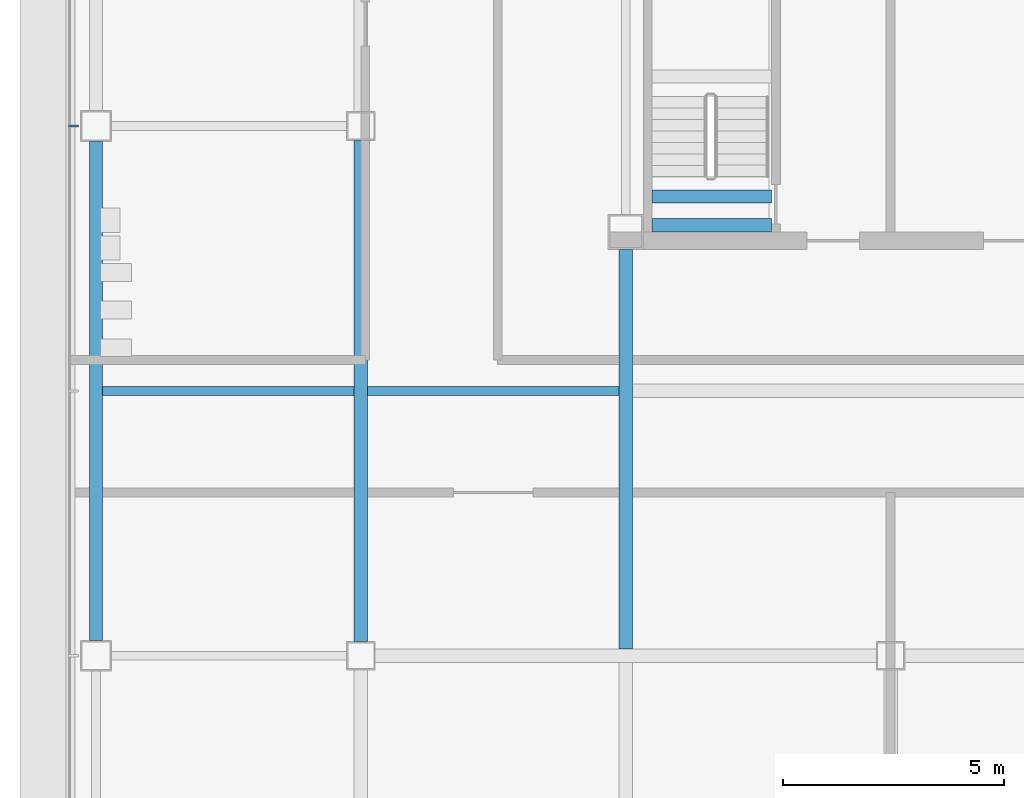
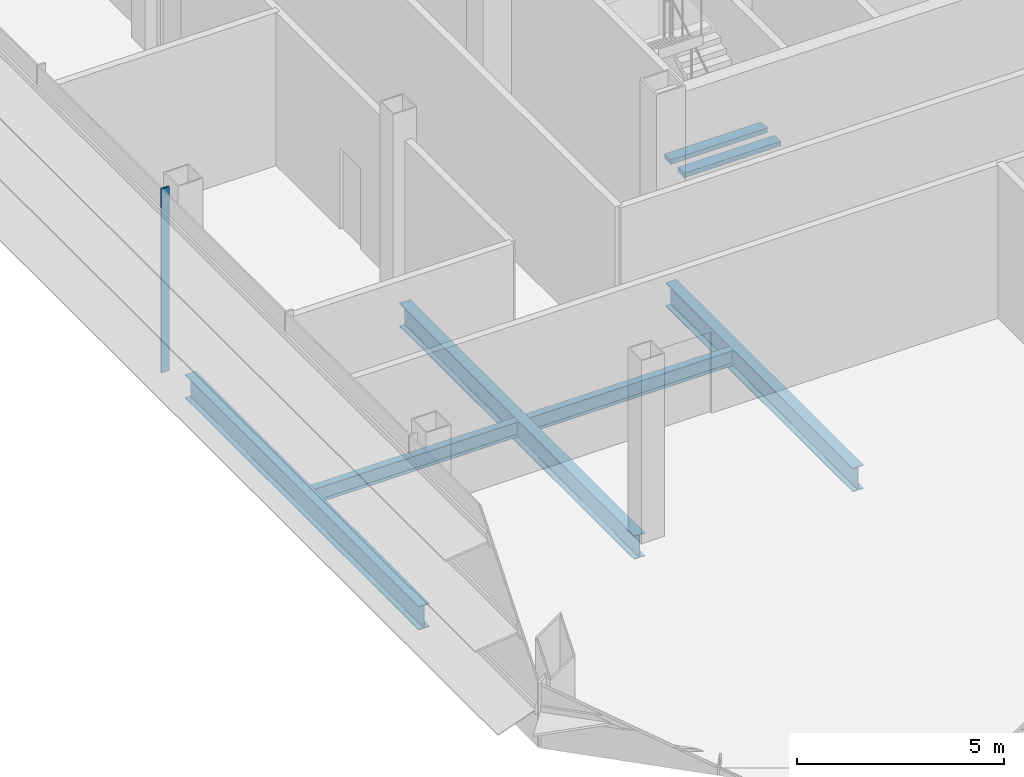
# One storey, part 3 of 24: 7 beams, 1 member, 1 element without a shape of its own.
"""IFC4 building model written with IfcOpenShell, lengths in metres."""

from ifc_helpers import new_model, si_unit, direction, frame, origin, origin_2d, place, context, subcontext, project, spatial, rectangle, i_section, extrude, material, material_profile, profile_set, type_object, element, aggregate, save


model = new_model("IFC4")

# Units and contexts
model_context = context("Model", 3, precision=1e-05, world=origin(), true_north=direction((0.0, 1.0)))
body_context = subcontext(model_context, "Body", "Model", "MODEL_VIEW")
ifc_project = project(units=[si_unit("LENGTHUNIT", "METRE"), si_unit("AREAUNIT", "SQUARE_METRE"), si_unit("VOLUMEUNIT", "CUBIC_METRE"), si_unit("PLANEANGLEUNIT", "RADIAN"), si_unit("MASSUNIT", "GRAM", prefix="KILO")], contexts=[model_context])

# Site, building, storey
site_placement = place(None, origin())
site = spatial("IfcSite", under=ifc_project, at=site_placement, CompositionType="ELEMENT")
building_placement = place(site_placement, origin())
building = spatial("IfcBuilding", under=site, at=building_placement, Name="Sorahane Residences", CompositionType="ELEMENT")
storey_placement = place(building_placement, frame((0.0, 0.0, 161.800048828125)))
storey = spatial("IfcBuildingStorey", under=building, at=storey_placement, Name="L37", CompositionType="ELEMENT", Elevation=161.800048828125)

# Curtain wall, member
ifc_material_1 = material(Name="Dark low-e glass and black anodised aluminium", Category="aluminium")
curtain_wall_type = type_object("IfcCurtainWallType", Name="Curtain wall CW-4 Sky floor frameless wall", PredefinedType="NOTDEFINED", material=ifc_material_1)
curtain_wall_placement = place(storey_placement, origin())
curtain_wall = element("IfcCurtainWall", 1, at=curtain_wall_placement, inside=storey, type_object=curtain_wall_type, Name="CW-4 curtain wall L37 W1", PredefinedType="NOTDEFINED")
ifc_material_2 = material(Name="Black anodised aluminium", Category="aluminium")
ifc_material_profile_1 = material_profile(ifc_material_2, rectangle(XDim=0.219970703125, YDim=0.050048828125, at=origin_2d()), Name="Curtain wall mullion CW-4 black anodised aluminium 50x220")
ifc_profile_set_1 = profile_set([ifc_material_profile_1], Name="Black anodised aluminium")
member_type = type_object("IfcMemberType", Name="Curtain wall mullion CW-4 black anodised aluminium 50x220", PredefinedType="MULLION", material=ifc_profile_set_1)
member_placement = place(storey_placement, frame((-6.510009765625, 24.0, -0.219970703125), z_axis=(0.0, 0.0, 1.0), x_axis=(-1.0, 0.0, 0.0)))
member = element("IfcMember", 2, at=member_placement, type_object=member_type, Name="CW-4 mullion L37 W1.4", PredefinedType="MULLION", context=body_context, shape_type="SweptSolid", body=[
    extrude(rectangle(XDim=0.219970703125, YDim=0.050048828125, at=origin_2d()), origin(), (0.0, 0.0, 1.0), 5.43994140625),
])
aggregate(curtain_wall, [member])

# Beams
ifc_material_3 = material(Name="Concrete C40", Category="concrete")
ifc_material_profile_2 = material_profile(ifc_material_3, rectangle(XDim=0.300048828125, YDim=0.139892578125, at=origin_2d()), Name="300x140")
ifc_profile_set_2 = profile_set([ifc_material_profile_2], Name="Concrete C40")
beam_type_1 = type_object("IfcBeamType", Name="RC landing beam 300 x 140 Concrete C40", PredefinedType="BEAM", material=ifc_profile_set_2)
for number, where, z_axis, x_axis, name in (
    (3, (6.60009765625, 21.75, 2.429931640625), (1.0, 0.0, 0.0), (0.0, 1.0, 0.0), "Landing beam"),
    (4, (6.60009765625, 22.39990234375, 2.429931640625), (1.0, 0.0, 0.0), (0.0, 1.0, 0.0), "Landing beam"),
):
    element("IfcBeam", number, at=place(storey_placement, frame(where, z_axis=z_axis, x_axis=x_axis)), inside=storey, type_object=beam_type_1, Name=name, PredefinedType="BEAM", context=body_context, shape_type="SweptSolid", body=[
        extrude(rectangle(XDim=0.300048828125, YDim=0.139892578125, at=origin_2d()), origin(), (0.0, 0.0, 1.0), 2.699951171875),
    ])
ifc_material_4 = material(Name="Steel Q355B", Category="steel")
ifc_material_profile_3 = material_profile(ifc_material_4, i_section(OverallWidth=0.199951171875, OverallDepth=0.449951171875, WebThickness=0.009033203125, FlangeThickness=0.013916015625, FilletRadius=0.02001953125, at=origin_2d()), Name="HN 450x200x9x14")
ifc_profile_set_3 = profile_set([ifc_material_profile_3], Name="Steel Q355B")
beam_type_2 = type_object("IfcBeamType", Name="Steel floor beam HN 450x200x9x14 Q355B", PredefinedType="BEAM", material=ifc_profile_set_3)
for number, where, z_axis, x_axis, name in (
    (5, (-5.85009765625, 18.0, -0.445068359375), (1.0, 0.0, 0.0), (0.0, 1.0, 0.0), "Beam L37 078"),
    (6, (0.14990234375, 18.0, -0.445068359375), (1.0, 0.0, 0.0), (0.0, 1.0, 0.0), "Beam L37 079"),
):
    element("IfcBeam", number, at=place(storey_placement, frame(where, z_axis=z_axis, x_axis=x_axis)), inside=storey, type_object=beam_type_2, Name=name, PredefinedType="BEAM", context=body_context, shape_type="SweptSolid", body=[
        extrude(i_section(OverallWidth=0.199951171875, OverallDepth=0.449951171875, WebThickness=0.009033203125, FlangeThickness=0.013916015625, FilletRadius=0.02001953125, at=origin_2d()), origin(), (0.0, 0.0, 1.0), 5.7001953125),
    ])
ifc_material_5 = material(Name="Steel Q355B", Category="steel")
ifc_material_profile_4 = material_profile(ifc_material_5, i_section(OverallWidth=0.300048828125, OverallDepth=0.699951171875, WebThickness=0.012939453125, FlangeThickness=0.02392578125, FilletRadius=0.028076171875, at=origin_2d()), Name="HN 700x300x13x24")
ifc_profile_set_4 = profile_set([ifc_material_profile_4], Name="Steel Q355B")
beam_type_3 = type_object("IfcBeamType", Name="Steel floor beam HN 700x300x13x24 Q355B", PredefinedType="BEAM", material=ifc_profile_set_4)
beam_1_placement = place(storey_placement, frame((-6.0, 12.35009765625, -0.570068359375), z_axis=(0.0, 1.0, 0.0), x_axis=(-1.0, 0.0, 0.0)))
element("IfcBeam", 7, at=beam_1_placement, inside=storey, type_object=beam_type_3, Name="Beam L37 021", PredefinedType="BEAM", context=body_context, shape_type="SweptSolid", body=[
    extrude(i_section(OverallWidth=0.300048828125, OverallDepth=0.699951171875, WebThickness=0.012939453125, FlangeThickness=0.02392578125, FilletRadius=0.028076171875, at=origin_2d()), origin(), (0.0, 0.0, 1.0), 11.2998046875),
])
beam_2_placement = place(storey_placement, frame((0.0, 12.324951171875, -0.570068359375), z_axis=(0.0, 1.0, 0.0), x_axis=(-1.0, 0.0, 0.0)))
element("IfcBeam", 8, at=beam_2_placement, inside=storey, type_object=beam_type_3, Name="Beam L37 025", PredefinedType="BEAM", context=body_context, shape_type="SweptSolid", body=[
    extrude(i_section(OverallWidth=0.300048828125, OverallDepth=0.699951171875, WebThickness=0.012939453125, FlangeThickness=0.02392578125, FilletRadius=0.028076171875, at=origin_2d()), origin(), (0.0, 0.0, 1.0), 11.35009765625),
])
beam_3_placement = place(storey_placement, frame((6.0, 12.14990234375, -0.570068359375), z_axis=(0.0, 1.0, 0.0), x_axis=(-1.0, 0.0, 0.0)))
element("IfcBeam", 9, at=beam_3_placement, inside=storey, type_object=beam_type_3, Name="Beam L37 029", PredefinedType="BEAM", context=body_context, shape_type="SweptSolid", body=[
    extrude(i_section(OverallWidth=0.300048828125, OverallDepth=0.699951171875, WebThickness=0.012939453125, FlangeThickness=0.02392578125, FilletRadius=0.028076171875, at=origin_2d()), origin(), (0.0, 0.0, 1.0), 9.050048828125),
])

save(model, "model.ifc")
